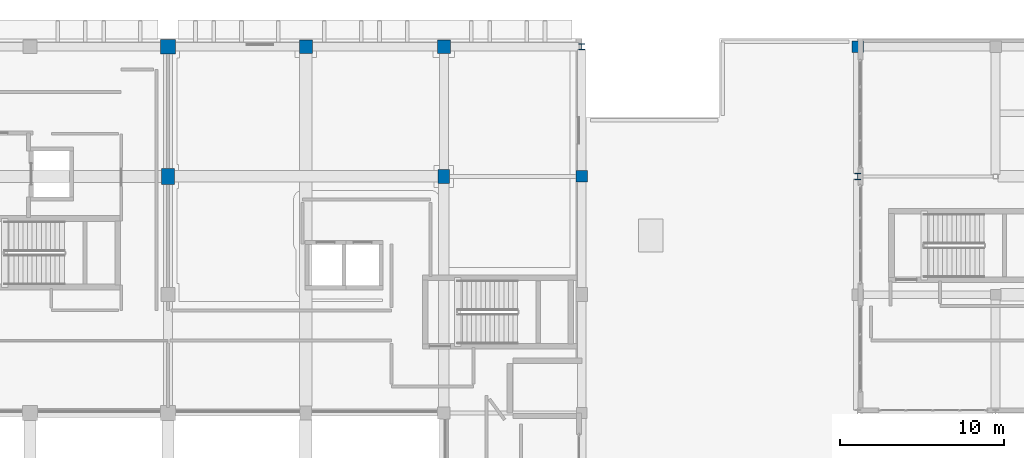
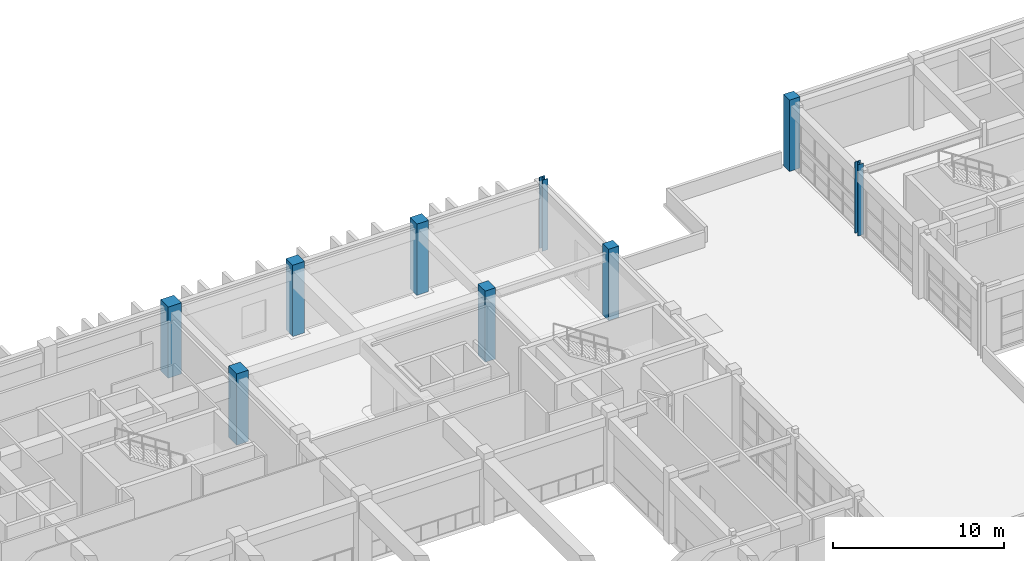
# One storey, part 10 of 78: 9 columns.
"""IFC4 building model written with IfcOpenShell, lengths in metres."""

from ifc_helpers import new_model, si_unit, direction, frame, origin, origin_2d, place, context, subcontext, project, spatial, rectangle, i_section, extrude, material, material_profile, profile_set, type_object, element, save


model = new_model("IFC4")

# Units and contexts
model_context = context("Model", 3, precision=1e-05, world=origin(), true_north=direction((0.0, 1.0)))
body_context = subcontext(model_context, "Body", "Model", "MODEL_VIEW")
ifc_project = project(units=[si_unit("LENGTHUNIT", "METRE"), si_unit("AREAUNIT", "SQUARE_METRE"), si_unit("VOLUMEUNIT", "CUBIC_METRE"), si_unit("PLANEANGLEUNIT", "RADIAN"), si_unit("MASSUNIT", "GRAM", prefix="KILO")], contexts=[model_context])

# Site, building, storey
site_placement = place(None, origin())
site = spatial("IfcSite", under=ifc_project, at=site_placement, CompositionType="ELEMENT")
building_placement = place(site_placement, origin())
building = spatial("IfcBuilding", under=site, at=building_placement, Name="Quendrovan Civic Courthouse", CompositionType="ELEMENT")
storey_placement = place(building_placement, frame((0.0, 0.0, 10.199951171875)))
storey = spatial("IfcBuildingStorey", under=building, at=storey_placement, Name="L03", CompositionType="ELEMENT", Elevation=10.199951171875)

# Columns
ifc_material_1 = material(Name="Concrete C40/50", Category="concrete")
ifc_material_profile_1 = material_profile(ifc_material_1, rectangle(XDim=0.699951171875, YDim=0.85009765625, at=origin_2d()), Name="RC-COL-700x850")
ifc_profile_set_1 = profile_set([ifc_material_profile_1], Name="Concrete C40/50")
column_type_1 = type_object("IfcColumnType", Name="COL-RC-700x850", PredefinedType="COLUMN", material=ifc_profile_set_1)
column_1_placement = place(storey_placement, frame((84.0, 102.0, 0.0), z_axis=(0.0, 0.0, 1.0), x_axis=(1.0, 0.0, 0.0)))
element("IfcColumn", 1, at=column_1_placement, inside=storey, type_object=column_type_1, Name="L03 Column 11-P", PredefinedType="COLUMN", context=body_context, shape_type="SweptSolid", body=[
    extrude(rectangle(XDim=0.699951171875, YDim=0.85009765625, at=origin_2d()), origin(), (0.0, 0.0, 1.0), 5.10009765625),
])
ifc_material_2 = material(Name="Concrete C45/55", Category="concrete")
ifc_material_profile_2 = material_profile(ifc_material_2, rectangle(XDim=0.800048828125, YDim=0.949951171875, at=origin_2d()), Name="RC-COL-800x950")
ifc_profile_set_2 = profile_set([ifc_material_profile_2], Name="Concrete C45/55")
column_type_2 = type_object("IfcColumnType", Name="COL-RC-800x950", PredefinedType="COLUMN", material=ifc_profile_set_2)
column_2_placement = place(storey_placement, frame((67.199951171875, 102.0, 0.0), z_axis=(0.0, 0.0, 1.0), x_axis=(1.0, 0.0, 0.0)))
element("IfcColumn", 2, at=column_2_placement, inside=storey, type_object=column_type_2, Name="L03 Column 9-P", PredefinedType="COLUMN", context=body_context, shape_type="SweptSolid", body=[
    extrude(rectangle(XDim=0.800048828125, YDim=0.949951171875, at=origin_2d()), origin(), (0.0, 0.0, 1.0), 5.10009765625),
])
ifc_material_profile_3 = material_profile(ifc_material_2, rectangle(XDim=0.699951171875, YDim=0.699951171875, at=origin_2d()), Name="RC-COL-700x700")
ifc_profile_set_3 = profile_set([ifc_material_profile_3], Name="Concrete C45/55")
column_type_3 = type_object("IfcColumnType", Name="COL-RC700", PredefinedType="COLUMN", material=ifc_profile_set_3)
for number, where, z_axis, x_axis, name in (
    (3, (92.39990234375, 102.0, 0.0), (0.0, 0.0, 1.0), (1.0, 0.0, 0.0), "L03 Column 12-P"),
    (4, (109.199951171875, 109.89990234375, 0.0), (0.0, 0.0, 1.0), (1.0, 0.0, 0.0), "L03 Column 14-Q"),
):
    element("IfcColumn", number, at=place(storey_placement, frame(where, z_axis=z_axis, x_axis=x_axis)), inside=storey, type_object=column_type_3, Name=name, PredefinedType="COLUMN", context=body_context, shape_type="SweptSolid", body=[
        extrude(rectangle(XDim=0.699951171875, YDim=0.699951171875, at=origin_2d()), origin(), (0.0, 0.0, 1.0), 5.10009765625),
    ])
ifc_material_profile_4 = material_profile(ifc_material_2, rectangle(XDim=0.800048828125, YDim=0.800048828125, at=origin_2d()), Name="RC-COL-800x800")
ifc_profile_set_4 = profile_set([ifc_material_profile_4], Name="Concrete C45/55")
column_type_4 = type_object("IfcColumnType", Name="COL-RC800", PredefinedType="COLUMN", material=ifc_profile_set_4)
for number, where, z_axis, x_axis, name in (
    (5, (75.60009765625, 109.89990234375, 0.0), (0.0, 0.0, 1.0), (1.0, 0.0, 0.0), "L03 Column 10-Q"),
    (6, (84.0, 109.89990234375, 0.0), (0.0, 0.0, 1.0), (1.0, 0.0, 0.0), "L03 Column 11-Q"),
):
    element("IfcColumn", number, at=place(storey_placement, frame(where, z_axis=z_axis, x_axis=x_axis)), inside=storey, type_object=column_type_4, Name=name, PredefinedType="COLUMN", context=body_context, shape_type="SweptSolid", body=[
        extrude(rectangle(XDim=0.800048828125, YDim=0.800048828125, at=origin_2d()), origin(), (0.0, 0.0, 1.0), 5.10009765625),
    ])
ifc_material_profile_5 = material_profile(ifc_material_2, rectangle(XDim=0.89990234375, YDim=0.89990234375, at=origin_2d()), Name="RC-COL-900x900")
ifc_profile_set_5 = profile_set([ifc_material_profile_5], Name="Concrete C45/55")
column_type_5 = type_object("IfcColumnType", Name="COL-RC900", PredefinedType="COLUMN", material=ifc_profile_set_5)
column_3_placement = place(storey_placement, frame((67.199951171875, 109.89990234375, 0.0), z_axis=(0.0, 0.0, 1.0), x_axis=(1.0, 0.0, 0.0)))
element("IfcColumn", 7, at=column_3_placement, inside=storey, type_object=column_type_5, Name="L03 Column 9-Q", PredefinedType="COLUMN", context=body_context, shape_type="SweptSolid", body=[
    extrude(rectangle(XDim=0.89990234375, YDim=0.89990234375, at=origin_2d()), origin(), (0.0, 0.0, 1.0), 5.10009765625),
])
ifc_material_3 = material(Name="Steel ASTM A992 Grade 50", Category="steel")
ifc_material_profile_6 = material_profile(ifc_material_3, i_section(OverallWidth=0.3740234375, OverallDepth=0.3720703125, WebThickness=0.016357421875, FlangeThickness=0.026123046875, at=origin_2d()), Name="W14X132")
ifc_profile_set_6 = profile_set([ifc_material_profile_6], Name="Steel ASTM A992 Grade 50")
column_type_6 = type_object("IfcColumnType", Name="COL-STL-W14X132", PredefinedType="COLUMN", material=ifc_profile_set_6)
for number, where, z_axis, x_axis, name in (
    (8, (92.39990234375, 109.89990234375, 0.0), (0.0, 0.0, 1.0), (1.0, 0.0, 0.0), "L03 Column 12-Q"),
    (9, (109.199951171875, 102.0, 0.0), (0.0, 0.0, 1.0), (1.0, 0.0, 0.0), "L03 Column 14-P"),
):
    element("IfcColumn", number, at=place(storey_placement, frame(where, z_axis=z_axis, x_axis=x_axis)), inside=storey, type_object=column_type_6, Name=name, PredefinedType="COLUMN", context=body_context, shape_type="SweptSolid", body=[
        extrude(i_section(OverallWidth=0.3740234375, OverallDepth=0.3720703125, WebThickness=0.016357421875, FlangeThickness=0.026123046875, at=origin_2d()), origin(), (0.0, 0.0, 1.0), 5.10009765625),
    ])

save(model, "model.ifc")
